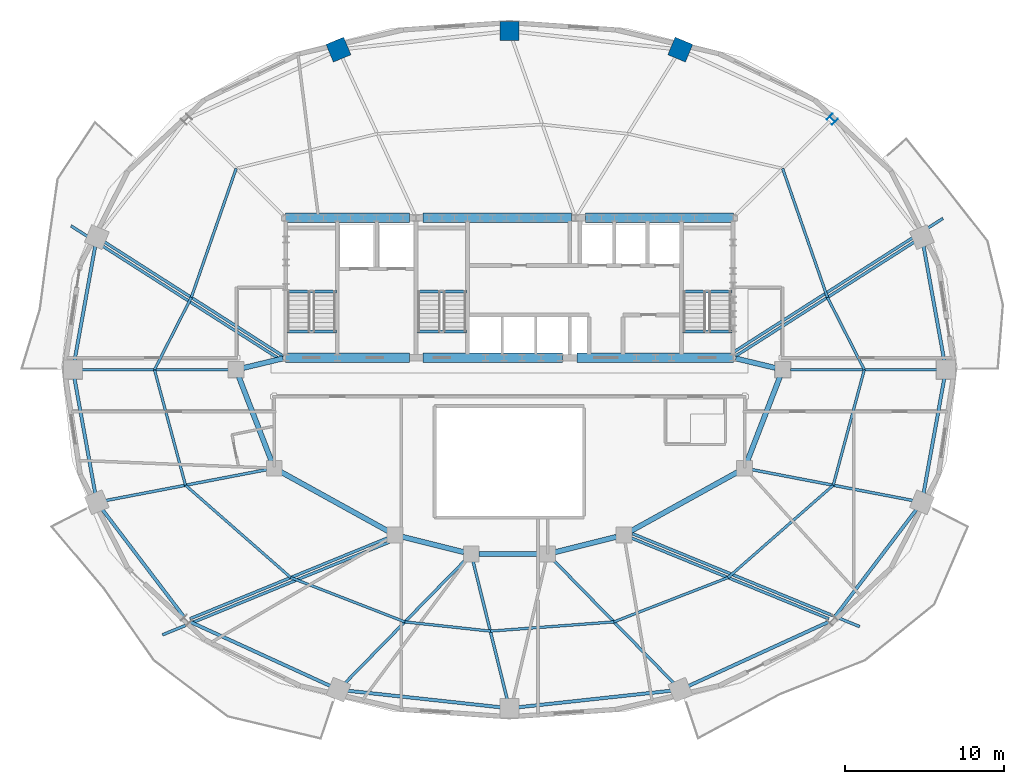
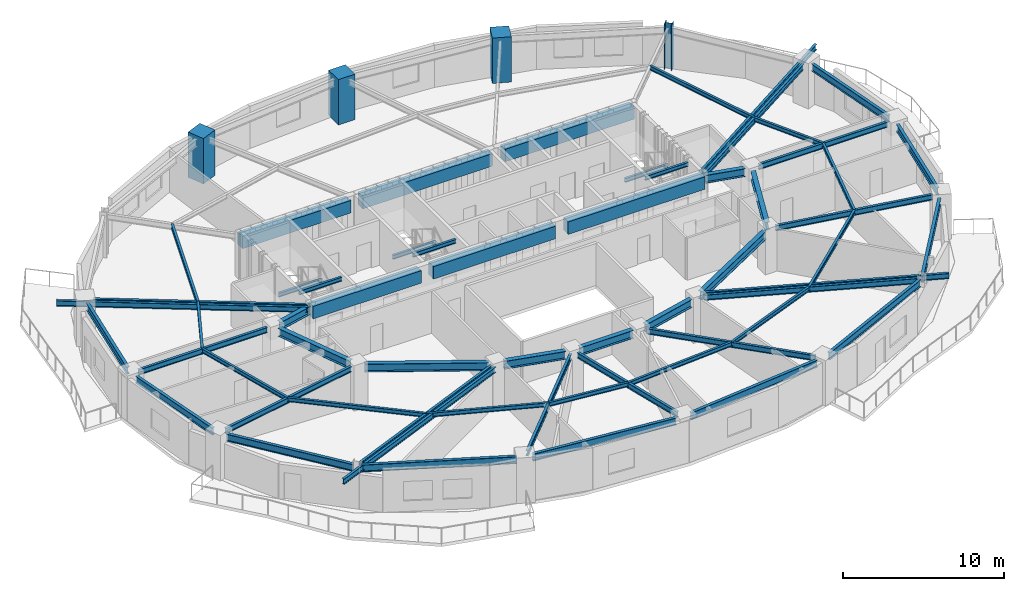
# One storey, part 2 of 11: 58 beams, 4 columns.
"""IFC4 building model written with IfcOpenShell, lengths in metres."""

from ifc_helpers import new_model, si_unit, direction, frame, origin, origin_2d, place, context, subcontext, project, spatial, rectangle, i_section, extrude, material, material_profile, profile_set, type_object, element, save


model = new_model("IFC4")

# Units and contexts
model_context = context("Model", 3, precision=1e-05, world=origin(), true_north=direction((0.0, 1.0)))
body_context = subcontext(model_context, "Body", "Model", "MODEL_VIEW")
ifc_project = project(units=[si_unit("LENGTHUNIT", "METRE"), si_unit("AREAUNIT", "SQUARE_METRE"), si_unit("VOLUMEUNIT", "CUBIC_METRE"), si_unit("PLANEANGLEUNIT", "RADIAN"), si_unit("MASSUNIT", "GRAM", prefix="KILO")], contexts=[model_context])

# Site, building, storey
site_placement = place(None, origin())
site = spatial("IfcSite", under=ifc_project, at=site_placement, CompositionType="ELEMENT")
building_placement = place(site_placement, origin())
building = spatial("IfcBuilding", under=site, at=building_placement, Name="Haldorwick Loom Tower", CompositionType="ELEMENT")
storey_placement = place(building_placement, frame((0.0, 0.0, 204.85009765625)))
storey = spatial("IfcBuildingStorey", under=building, at=storey_placement, Name="L55", CompositionType="ELEMENT", Elevation=204.85009765625)

# Columns
ifc_material_1 = material(Name="Concrete C60 (60 MPa)", Category="concrete")
ifc_material_profile_1 = material_profile(ifc_material_1, rectangle(XDim=1.199951171875, YDim=1.199951171875, at=origin_2d()), Name="RC1200X1200", Category="concrete")
ifc_profile_set_1 = profile_set([ifc_material_profile_1], Name="Concrete C60 (60 MPa)")
column_type_1 = type_object("IfcColumnType", Name="STR-COL-RC1200", PredefinedType="COLUMN", material=ifc_profile_set_1)
for number, where, z_axis, x_axis, name in (
    (1, (46.75341796875, 46.140625, 0.0), (0.0, 0.0, 1.0), (0.382683432365, 0.923879532511, 0.0), "L55 Perimeter Pier Column P04"),
    (2, (36.0, 47.304931640625, 0.0), (0.0, 0.0, 1.0), (0.0, 1.0, 0.0), "L55 Perimeter Pier Column P05"),
    (3, (25.24658203125, 46.140625, 0.0), (0.0, 0.0, 1.0), (-0.382683432365, 0.923879532511, 0.0), "L55 Perimeter Pier Column P06"),
):
    element("IfcColumn", number, at=place(storey_placement, frame(where, z_axis=z_axis, x_axis=x_axis)), inside=storey, type_object=column_type_1, Name=name, PredefinedType="COLUMN", context=body_context, shape_type="SweptSolid", body=[
        extrude(rectangle(XDim=1.199951171875, YDim=1.199951171875, at=origin_2d()), origin(), (0.0, 0.0, 1.0), 3.449951171875),
    ])
ifc_material_2 = material(Name="Steel CSA G40.21 350WT", Category="steel")
ifc_material_profile_2 = material_profile(ifc_material_2, i_section(OverallWidth=0.5, OverallDepth=0.5, WebThickness=0.02197265625, FlangeThickness=0.031982421875, at=origin_2d()), Name="WWF500X500", Category="steel")
ifc_profile_set_2 = profile_set([ifc_material_profile_2], Name="Steel CSA G40.21 350WT")
column_type_2 = type_object("IfcColumnType", Name="STR-COL-WWF500", PredefinedType="COLUMN", material=ifc_profile_set_2)
column_placement = place(storey_placement, frame((56.317626953125, 41.764892578125, 0.0), z_axis=(0.0, 0.0, 1.0), x_axis=(0.707106781187, 0.707106781187, 0.0)))
element("IfcColumn", 4, at=column_placement, inside=storey, type_object=column_type_2, Name="L55 Perimeter Pier Column P03", PredefinedType="COLUMN", context=body_context, shape_type="SweptSolid", body=[
    extrude(i_section(OverallWidth=0.5, OverallDepth=0.5, WebThickness=0.02197265625, FlangeThickness=0.031982421875, at=origin_2d()), origin(), (0.0, 0.0, 1.0), 3.449951171875),
])

# Beams
ifc_material_3 = material(Name="Steel CSA G40.21 350W", Category="steel")
ifc_material_profile_3 = material_profile(ifc_material_3, i_section(OverallWidth=0.179931640625, OverallDepth=0.4130859375, WebThickness=0.009765625, FlangeThickness=0.01611328125, at=origin_2d()), Name="W410X74", Category="steel")
ifc_profile_set_3 = profile_set([ifc_material_profile_3], Name="Steel CSA G40.21 350W")
beam_type_1 = type_object("IfcBeamType", Name="STR-BM-BAL410", PredefinedType="BEAM", material=ifc_profile_set_3)
beam_1_placement = place(storey_placement, frame((43.74560546875, 15.679443359375, 3.00341796875), z_axis=(0.925580184245, -0.378551611451, 0.0), x_axis=(0.378551611451, 0.925580184245, 0.0)))
element("IfcBeam", 5, at=beam_1_placement, inside=storey, type_object=beam_type_1, Name="L55 Continuous Back-Spanned Balcony Beam 1", PredefinedType="BEAM", context=body_context, shape_type="SweptSolid", body=[
    extrude(i_section(OverallWidth=0.179931640625, OverallDepth=0.4130859375, WebThickness=0.009765625, FlangeThickness=0.01611328125, at=origin_2d()), origin(), (0.0, 0.0, 1.0), 15.447509765625),
])
beam_2_placement = place(storey_placement, frame((28.46630859375, 15.160888671875, 3.00341796875), z_axis=(-0.925585721791, -0.378538071556, 0.0), x_axis=(0.378538071556, -0.925585721791, 0.0)))
element("IfcBeam", 6, at=beam_2_placement, inside=storey, type_object=beam_type_1, Name="L55 Continuous Back-Spanned Balcony Beam 2", PredefinedType="BEAM", context=body_context, shape_type="SweptSolid", body=[
    extrude(i_section(OverallWidth=0.179931640625, OverallDepth=0.4130859375, WebThickness=0.009765625, FlangeThickness=0.01611328125, at=origin_2d()), origin(), (0.0, 0.0, 1.0), 15.447265625),
])
for number, where, z_axis, x_axis, name in (
    (7, (21.62939453125, 26.60986328125, 3.00341796875), (-0.842844376394, 0.538157372133, 0.0), (-0.538157372133, -0.842844376394, 0.0), "L55 Continuous Back-Spanned Balcony Beam 3"),
    (8, (50.0693359375, 27.081787109375, 3.00341796875), (0.842844376394, 0.538157372133, 0.0), (-0.538157372133, 0.842844376394, 0.0), "L55 Continuous Back-Spanned Balcony Beam 4"),
):
    element("IfcBeam", number, at=place(storey_placement, frame(where, z_axis=z_axis, x_axis=x_axis)), inside=storey, type_object=beam_type_1, Name=name, PredefinedType="BEAM", context=body_context, shape_type="SweptSolid", body=[
        extrude(i_section(OverallWidth=0.179931640625, OverallDepth=0.4130859375, WebThickness=0.009765625, FlangeThickness=0.01611328125, at=origin_2d()), origin(), (0.0, 0.0, 1.0), 15.680419921875),
    ])
ifc_material_4 = material(Name="Concrete C50 (50 MPa)", Category="concrete")
ifc_material_profile_4 = material_profile(ifc_material_4, rectangle(XDim=0.60009765625, YDim=0.949951171875, at=origin_2d()), Name="RC600X950", Category="concrete")
ifc_profile_set_4 = profile_set([ifc_material_profile_4], Name="Concrete C50 (50 MPa)")
beam_type_2 = type_object("IfcBeamType", Name="STR-BM-CB950", PredefinedType="LINTEL", material=ifc_profile_set_4)
beam_3_placement = place(storey_placement, frame((21.89990234375, 35.550048828125, 2.73486328125), z_axis=(1.0, 0.0, 0.0), x_axis=(0.0, 1.0, 0.0)))
element("IfcBeam", 9, at=beam_3_placement, inside=storey, type_object=beam_type_2, Name="L55 Core Coupling Beam CB-N1", PredefinedType="LINTEL", context=body_context, shape_type="SweptSolid", body=[
    extrude(rectangle(XDim=0.60009765625, YDim=0.949951171875, at=origin_2d()), origin(), (0.0, 0.0, 1.0), 7.800048828125),
])
beam_4_placement = place(storey_placement, frame((30.550048828125, 35.550048828125, 2.73486328125), z_axis=(1.0, 0.0, 0.0), x_axis=(0.0, 1.0, 0.0)))
element("IfcBeam", 10, at=beam_4_placement, inside=storey, type_object=beam_type_2, Name="L55 Core Coupling Beam CB-N2", PredefinedType="LINTEL", context=body_context, shape_type="SweptSolid", body=[
    extrude(rectangle(XDim=0.60009765625, YDim=0.949951171875, at=origin_2d()), origin(), (0.0, 0.0, 1.0), 9.349853515625),
])
beam_5_placement = place(storey_placement, frame((40.800048828125, 35.550048828125, 2.73486328125), z_axis=(1.0, 0.0, 0.0), x_axis=(0.0, 1.0, 0.0)))
element("IfcBeam", 11, at=beam_5_placement, inside=storey, type_object=beam_type_2, Name="L55 Core Coupling Beam CB-N3", PredefinedType="LINTEL", context=body_context, shape_type="SweptSolid", body=[
    extrude(rectangle(XDim=0.60009765625, YDim=0.949951171875, at=origin_2d()), origin(), (0.0, 0.0, 1.0), 9.300048828125),
])
beam_6_placement = place(storey_placement, frame((21.89990234375, 26.75, 2.73486328125), z_axis=(1.0, 0.0, 0.0), x_axis=(0.0, 1.0, 0.0)))
element("IfcBeam", 12, at=beam_6_placement, inside=storey, type_object=beam_type_2, Name="L55 Core Coupling Beam CB-S1", PredefinedType="LINTEL", context=body_context, shape_type="SweptSolid", body=[
    extrude(rectangle(XDim=0.60009765625, YDim=0.949951171875, at=origin_2d()), origin(), (0.0, 0.0, 1.0), 7.800048828125),
])
beam_7_placement = place(storey_placement, frame((30.550048828125, 26.75, 2.73486328125), z_axis=(1.0, 0.0, 0.0), x_axis=(0.0, 1.0, 0.0)))
element("IfcBeam", 13, at=beam_7_placement, inside=storey, type_object=beam_type_2, Name="L55 Core Coupling Beam CB-S2", PredefinedType="LINTEL", context=body_context, shape_type="SweptSolid", body=[
    extrude(rectangle(XDim=0.60009765625, YDim=0.949951171875, at=origin_2d()), origin(), (0.0, 0.0, 1.0), 8.800048828125),
])
beam_8_placement = place(storey_placement, frame((40.25, 26.75, 2.73486328125), z_axis=(1.0, 0.0, 0.0), x_axis=(0.0, 1.0, 0.0)))
element("IfcBeam", 14, at=beam_8_placement, inside=storey, type_object=beam_type_2, Name="L55 Core Coupling Beam CB-S3", PredefinedType="LINTEL", context=body_context, shape_type="SweptSolid", body=[
    extrude(rectangle(XDim=0.60009765625, YDim=0.949951171875, at=origin_2d()), origin(), (0.0, 0.0, 1.0), 9.85009765625),
])
ifc_material_profile_5 = material_profile(ifc_material_3, i_section(OverallWidth=0.166015625, OverallDepth=0.31298828125, WebThickness=0.006591796875, FlangeThickness=0.01123046875, at=origin_2d()), Name="W310X45", Category="steel")
ifc_profile_set_5 = profile_set([ifc_material_profile_5], Name="Steel CSA G40.21 350W")
beam_type_3 = type_object("IfcBeamType", Name="STR-BM-J310", PredefinedType="JOIST", material=ifc_profile_set_5)
beam_9_placement = place(storey_placement, frame((58.333251953125, 26.0, 3.053466796875), z_axis=(-0.454203827517, 0.890897796085, 0.0), x_axis=(-0.890897796085, -0.454203827517, 0.0)))
element("IfcBeam", 15, at=beam_9_placement, inside=storey, type_object=beam_type_3, Name="L55 Mid-Bay Secondary Joist 1", PredefinedType="JOIST", context=body_context, shape_type="SweptSolid", body=[
    extrude(i_section(OverallWidth=0.166015625, OverallDepth=0.31298828125, WebThickness=0.006591796875, FlangeThickness=0.01123046875, at=origin_2d()), origin(), (0.0, 0.0, 1.0), 5.103271484375),
])
for number, where, z_axis, x_axis, name in (
    (16, (56.015380859375, 30.54638671875, 3.053466796875), (-0.328550395803, 0.944486441098, 0.0), (-0.944486441098, -0.328550395803, 0.0), "L55 Mid-Bay Secondary Joist 2"),
    (17, (18.80615234375, 38.657470703125, 3.053466796875), (-0.328550395803, -0.944486441098, 0.0), (0.944486441098, -0.328550395803, 0.0), "L55 Mid-Bay Secondary Joist 7"),
):
    element("IfcBeam", number, at=place(storey_placement, frame(where, z_axis=z_axis, x_axis=x_axis)), inside=storey, type_object=beam_type_3, Name=name, PredefinedType="JOIST", context=body_context, shape_type="SweptSolid", body=[
        extrude(i_section(OverallWidth=0.166015625, OverallDepth=0.31298828125, WebThickness=0.006591796875, FlangeThickness=0.01123046875, at=origin_2d()), origin(), (0.0, 0.0, 1.0), 8.587890625),
    ])
beam_10_placement = place(storey_placement, frame((15.984619140625, 30.54638671875, 3.053466796875), z_axis=(-0.454203827517, -0.890897796085, 0.0), x_axis=(0.890897796085, -0.454203827517, 0.0)))
element("IfcBeam", 18, at=beam_10_placement, inside=storey, type_object=beam_type_3, Name="L55 Mid-Bay Secondary Joist 8", PredefinedType="JOIST", context=body_context, shape_type="SweptSolid", body=[
    extrude(i_section(OverallWidth=0.166015625, OverallDepth=0.31298828125, WebThickness=0.006591796875, FlangeThickness=0.01123046875, at=origin_2d()), origin(), (0.0, 0.0, 1.0), 5.103271484375),
])
beam_11_placement = place(storey_placement, frame((13.666748046875, 26.0, 3.053466796875), z_axis=(0.259353588718, -0.965782437208, 0.0), x_axis=(0.965782437208, 0.259353588718, 0.0)))
element("IfcBeam", 19, at=beam_11_placement, inside=storey, type_object=beam_type_3, Name="L55 Mid-Bay Secondary Joist 9", PredefinedType="JOIST", context=body_context, shape_type="SweptSolid", body=[
    extrude(i_section(OverallWidth=0.166015625, OverallDepth=0.31298828125, WebThickness=0.006591796875, FlangeThickness=0.01123046875, at=origin_2d()), origin(), (0.0, 0.0, 1.0), 7.52880859375),
])
beam_12_placement = place(storey_placement, frame((15.619384765625, 18.728759765625, 3.053466796875), z_axis=(0.751609427289, -0.659608420815, 0.0), x_axis=(0.659608420815, 0.751609427289, 0.0)))
element("IfcBeam", 20, at=beam_12_placement, inside=storey, type_object=beam_type_3, Name="L55 Mid-Bay Secondary Joist 10", PredefinedType="JOIST", context=body_context, shape_type="SweptSolid", body=[
    extrude(i_section(OverallWidth=0.166015625, OverallDepth=0.31298828125, WebThickness=0.006591796875, FlangeThickness=0.01123046875, at=origin_2d()), origin(), (0.0, 0.0, 1.0), 8.810302734375),
])
beam_13_placement = place(storey_placement, frame((22.2412109375, 12.91748046875, 3.053466796875), z_axis=(0.932232852675, -0.36185896202, 0.0), x_axis=(0.36185896202, 0.932232852675, 0.0)))
element("IfcBeam", 21, at=beam_13_placement, inside=storey, type_object=beam_type_3, Name="L55 Mid-Bay Secondary Joist 11", PredefinedType="JOIST", context=body_context, shape_type="SweptSolid", body=[
    extrude(i_section(OverallWidth=0.166015625, OverallDepth=0.31298828125, WebThickness=0.006591796875, FlangeThickness=0.01123046875, at=origin_2d()), origin(), (0.0, 0.0, 1.0), 7.7041015625),
])
beam_14_placement = place(storey_placement, frame((29.42333984375, 10.129638671875, 3.053466796875), z_axis=(0.994191913888, -0.107621737398, 0.0), x_axis=(0.107621737398, 0.994191913888, 0.0)))
element("IfcBeam", 22, at=beam_14_placement, inside=storey, type_object=beam_type_3, Name="L55 Mid-Bay Secondary Joist 12", PredefinedType="JOIST", context=body_context, shape_type="SweptSolid", body=[
    extrude(i_section(OverallWidth=0.166015625, OverallDepth=0.31298828125, WebThickness=0.006591796875, FlangeThickness=0.01123046875, at=origin_2d()), origin(), (0.0, 0.0, 1.0), 5.408203125),
])
beam_15_placement = place(storey_placement, frame((34.800048828125, 9.547607421875, 3.053466796875), z_axis=(0.997210913817, 0.074635067923, 0.0), x_axis=(-0.074635067923, 0.997210913817, 0.0)))
element("IfcBeam", 23, at=beam_15_placement, inside=storey, type_object=beam_type_3, Name="L55 Mid-Bay Secondary Joist 13", PredefinedType="JOIST", context=body_context, shape_type="SweptSolid", body=[
    extrude(i_section(OverallWidth=0.166015625, OverallDepth=0.31298828125, WebThickness=0.006591796875, FlangeThickness=0.01123046875, at=origin_2d()), origin(), (0.0, 0.0, 1.0), 7.79833984375),
])
beam_16_placement = place(storey_placement, frame((42.57666015625, 10.129638671875, 3.053466796875), z_axis=(0.932232852675, 0.36185896202, 0.0), x_axis=(-0.36185896202, 0.932232852675, 0.0)))
element("IfcBeam", 24, at=beam_16_placement, inside=storey, type_object=beam_type_3, Name="L55 Mid-Bay Secondary Joist 14", PredefinedType="JOIST", context=body_context, shape_type="SweptSolid", body=[
    extrude(i_section(OverallWidth=0.166015625, OverallDepth=0.31298828125, WebThickness=0.006591796875, FlangeThickness=0.01123046875, at=origin_2d()), origin(), (0.0, 0.0, 1.0), 7.7041015625),
])
beam_17_placement = place(storey_placement, frame((49.7587890625, 12.91748046875, 3.053466796875), z_axis=(0.751609427289, 0.659608420815, 0.0), x_axis=(-0.659608420815, 0.751609427289, 0.0)))
element("IfcBeam", 25, at=beam_17_placement, inside=storey, type_object=beam_type_3, Name="L55 Mid-Bay Secondary Joist 15", PredefinedType="JOIST", context=body_context, shape_type="SweptSolid", body=[
    extrude(i_section(OverallWidth=0.166015625, OverallDepth=0.31298828125, WebThickness=0.006591796875, FlangeThickness=0.01123046875, at=origin_2d()), origin(), (0.0, 0.0, 1.0), 8.810302734375),
])
beam_18_placement = place(storey_placement, frame((56.380615234375, 18.728759765625, 3.053466796875), z_axis=(0.259353588718, 0.965782437208, 0.0), x_axis=(-0.965782437208, 0.259353588718, 0.0)))
element("IfcBeam", 26, at=beam_18_placement, inside=storey, type_object=beam_type_3, Name="L55 Mid-Bay Secondary Joist 16", PredefinedType="JOIST", context=body_context, shape_type="SweptSolid", body=[
    extrude(i_section(OverallWidth=0.166015625, OverallDepth=0.31298828125, WebThickness=0.006591796875, FlangeThickness=0.01123046875, at=origin_2d()), origin(), (0.0, 0.0, 1.0), 7.52880859375),
])
ifc_material_profile_6 = material_profile(ifc_material_3, i_section(OverallWidth=0.179931640625, OverallDepth=0.4130859375, WebThickness=0.009765625, FlangeThickness=0.01611328125, at=origin_2d()), Name="W410X74", Category="steel")
ifc_profile_set_6 = profile_set([ifc_material_profile_6], Name="Steel CSA G40.21 350W")
beam_type_4 = type_object("IfcBeamType", Name="STR-BM-J410", PredefinedType="JOIST", material=ifc_profile_set_6)
beam_19_placement = place(storey_placement, frame((53.675048828125, 26.0, 3.00341796875), z_axis=(1.0, 0.0, 0.0), x_axis=(0.0, 1.0, 0.0)))
element("IfcBeam", 27, at=beam_19_placement, inside=storey, type_object=beam_type_4, Name="L55 Radial Floor Girder 1", PredefinedType="JOIST", context=body_context, shape_type="SweptSolid", body=[
    extrude(i_section(OverallWidth=0.179931640625, OverallDepth=0.4130859375, WebThickness=0.009765625, FlangeThickness=0.01611328125, at=origin_2d()), origin(), (0.0, 0.0, 1.0), 9.271240234375),
])
for number, where, z_axis, x_axis, name in (
    (28, (50.219970703125, 26.845703125, 3.00341796875), (0.842836647066, 0.538169477361, 0.0), (-0.538169477361, 0.842836647066, 0.0), "L55 Radial Floor Girder 2"),
    (29, (21.780029296875, 26.845703125, 3.00341796875), (-0.842836647066, 0.538169477361, 0.0), (-0.538169477361, -0.842836647066, 0.0), "L55 Radial Floor Girder 8"),
):
    element("IfcBeam", number, at=place(storey_placement, frame(where, z_axis=z_axis, x_axis=x_axis)), inside=storey, type_object=beam_type_4, Name=name, PredefinedType="JOIST", context=body_context, shape_type="SweptSolid", body=[
        extrude(i_section(OverallWidth=0.179931640625, OverallDepth=0.4130859375, WebThickness=0.009765625, FlangeThickness=0.01611328125, at=origin_2d()), origin(), (0.0, 0.0, 1.0), 13.410400390625),
    ])
beam_20_placement = place(storey_placement, frame((18.324951171875, 26.0, 3.00341796875), z_axis=(-1.0, 0.0, 0.0), x_axis=(0.0, -1.0, 0.0)))
element("IfcBeam", 30, at=beam_20_placement, inside=storey, type_object=beam_type_4, Name="L55 Radial Floor Girder 9", PredefinedType="JOIST", context=body_context, shape_type="SweptSolid", body=[
    extrude(i_section(OverallWidth=0.179931640625, OverallDepth=0.4130859375, WebThickness=0.009765625, FlangeThickness=0.01611328125, at=origin_2d()), origin(), (0.0, 0.0, 1.0), 9.271240234375),
])
beam_21_placement = place(storey_placement, frame((20.7333984375, 19.71044921875, 3.00341796875), z_axis=(-0.982069869785, -0.188517295919, 0.0), x_axis=(0.188517295919, -0.982069869785, 0.0)))
element("IfcBeam", 31, at=beam_21_placement, inside=storey, type_object=beam_type_4, Name="L55 Radial Floor Girder 10", PredefinedType="JOIST", context=body_context, shape_type="SweptSolid", body=[
    extrude(i_section(OverallWidth=0.179931640625, OverallDepth=0.4130859375, WebThickness=0.009765625, FlangeThickness=0.01611328125, at=origin_2d()), origin(), (0.0, 0.0, 1.0), 10.36962890625),
])
beam_22_placement = place(storey_placement, frame((28.3603515625, 15.420166015625, 3.00341796875), z_axis=(-0.925583323606, -0.378543935445, 0.0), x_axis=(0.378543935445, -0.925583323606, 0.0)))
element("IfcBeam", 32, at=beam_22_placement, inside=storey, type_object=beam_type_4, Name="L55 Radial Floor Girder 11", PredefinedType="JOIST", context=body_context, shape_type="SweptSolid", body=[
    extrude(i_section(OverallWidth=0.179931640625, OverallDepth=0.4130859375, WebThickness=0.009765625, FlangeThickness=0.01611328125, at=origin_2d()), origin(), (0.0, 0.0, 1.0), 13.47216796875),
])
beam_23_placement = place(storey_placement, frame((33.267822265625, 14.060302734375, 3.00341796875), z_axis=(-0.699238682239, -0.714888288658, 0.0), x_axis=(0.714888288658, -0.699238682239, 0.0)))
element("IfcBeam", 33, at=beam_23_placement, inside=storey, type_object=beam_type_4, Name="L55 Radial Floor Girder 12", PredefinedType="JOIST", context=body_context, shape_type="SweptSolid", body=[
    extrude(i_section(OverallWidth=0.179931640625, OverallDepth=0.4130859375, WebThickness=0.009765625, FlangeThickness=0.01611328125, at=origin_2d()), origin(), (0.0, 0.0, 1.0), 10.951416015625),
])
beam_24_placement = place(storey_placement, frame((33.714111328125, 13.93896484375, 3.00341796875), z_axis=(0.240059013303, -0.970758296453, 0.0), x_axis=(0.970758296453, 0.240059013303, 0.0)))
element("IfcBeam", 34, at=beam_24_placement, inside=storey, type_object=beam_type_4, Name="L55 Radial Floor Girder 13", PredefinedType="JOIST", context=body_context, shape_type="SweptSolid", body=[
    extrude(i_section(OverallWidth=0.179931640625, OverallDepth=0.4130859375, WebThickness=0.009765625, FlangeThickness=0.01611328125, at=origin_2d()), origin(), (0.0, 0.0, 1.0), 9.00244140625),
])
beam_25_placement = place(storey_placement, frame((38.732177734375, 14.060302734375, 3.00341796875), z_axis=(0.699238682239, -0.714888288658, 0.0), x_axis=(0.714888288658, 0.699238682239, 0.0)))
element("IfcBeam", 35, at=beam_25_placement, inside=storey, type_object=beam_type_4, Name="L55 Radial Floor Girder 14", PredefinedType="JOIST", context=body_context, shape_type="SweptSolid", body=[
    extrude(i_section(OverallWidth=0.179931640625, OverallDepth=0.4130859375, WebThickness=0.009765625, FlangeThickness=0.01611328125, at=origin_2d()), origin(), (0.0, 0.0, 1.0), 10.951416015625),
])
beam_26_placement = place(storey_placement, frame((43.6396484375, 15.420166015625, 3.00341796875), z_axis=(0.925583323606, -0.378543935445, 0.0), x_axis=(0.378543935445, 0.925583323606, 0.0)))
element("IfcBeam", 36, at=beam_26_placement, inside=storey, type_object=beam_type_4, Name="L55 Radial Floor Girder 15", PredefinedType="JOIST", context=body_context, shape_type="SweptSolid", body=[
    extrude(i_section(OverallWidth=0.179931640625, OverallDepth=0.4130859375, WebThickness=0.009765625, FlangeThickness=0.01611328125, at=origin_2d()), origin(), (0.0, 0.0, 1.0), 13.47216796875),
])
beam_27_placement = place(storey_placement, frame((51.2666015625, 19.71044921875, 3.00341796875), z_axis=(0.982069869785, -0.188517295919, 0.0), x_axis=(0.188517295919, 0.982069869785, 0.0)))
element("IfcBeam", 37, at=beam_27_placement, inside=storey, type_object=beam_type_4, Name="L55 Radial Floor Girder 16", PredefinedType="JOIST", context=body_context, shape_type="SweptSolid", body=[
    extrude(i_section(OverallWidth=0.179931640625, OverallDepth=0.4130859375, WebThickness=0.009765625, FlangeThickness=0.01611328125, at=origin_2d()), origin(), (0.0, 0.0, 1.0), 10.36962890625),
])
ifc_material_profile_7 = material_profile(ifc_material_3, i_section(OverallWidth=0.2119140625, OverallDepth=0.5439453125, WebThickness=0.01318359375, FlangeThickness=0.021240234375, at=origin_2d()), Name="W530X123", Category="steel")
ifc_profile_set_7 = profile_set([ifc_material_profile_7], Name="Steel CSA G40.21 350W")
beam_type_5 = type_object("IfcBeamType", Name="STR-BM-SP530", PredefinedType="SPANDREL", material=ifc_profile_set_7)
for number, where, z_axis, x_axis, name in (
    (38, (63.3740234375, 26.51171875, 2.93798828125), (-0.1775911332, 0.984104359003, 0.0), (-0.984104359003, -0.1775911332, 0.0), "L55 Perimeter Spandrel 1"),
    (39, (9.94677734375, 33.830810546875, 2.93798828125), (-0.1775911332, -0.984104359003, 0.0), (0.984104359003, -0.1775911332, 0.0), "L55 Perimeter Spandrel 8"),
    (40, (8.6259765625, 25.48828125, 2.93798828125), (0.1775911332, -0.984104359003, 0.0), (0.984104359003, 0.1775911332, 0.0), "L55 Perimeter Spandrel 9"),
):
    element("IfcBeam", number, at=place(storey_placement, frame(where, z_axis=z_axis, x_axis=x_axis)), inside=storey, type_object=beam_type_5, Name=name, PredefinedType="SPANDREL", context=body_context, shape_type="SweptSolid", body=[
        extrude(i_section(OverallWidth=0.2119140625, OverallDepth=0.5439453125, WebThickness=0.01318359375, FlangeThickness=0.021240234375, at=origin_2d()), origin(), (0.0, 0.0, 1.0), 7.437255859375),
    ])
beam_28_placement = place(storey_placement, frame((10.353759765625, 17.24365234375, 2.93798828125), z_axis=(0.605236944797, -0.796045376001, 0.0), x_axis=(0.796045376001, 0.605236944797, 0.0)))
element("IfcBeam", 41, at=beam_28_placement, inside=storey, type_object=beam_type_5, Name="L55 Perimeter Spandrel 10", PredefinedType="SPANDREL", context=body_context, shape_type="SweptSolid", body=[
    extrude(i_section(OverallWidth=0.2119140625, OverallDepth=0.5439453125, WebThickness=0.01318359375, FlangeThickness=0.021240234375, at=origin_2d()), origin(), (0.0, 0.0, 1.0), 8.5791015625),
])
beam_29_placement = place(storey_placement, frame((15.886962890625, 10.1416015625, 2.93798828125), z_axis=(0.909342182232, -0.416049030299, 0.0), x_axis=(0.416049030299, 0.909342182232, 0.0)))
element("IfcBeam", 42, at=beam_29_placement, inside=storey, type_object=beam_type_5, Name="L55 Perimeter Spandrel 11", PredefinedType="SPANDREL", context=body_context, shape_type="SweptSolid", body=[
    extrude(i_section(OverallWidth=0.2119140625, OverallDepth=0.5439453125, WebThickness=0.01318359375, FlangeThickness=0.021240234375, at=origin_2d()), origin(), (0.0, 0.0, 1.0), 9.772705078125),
])
for number, where, z_axis, x_axis, name in (
    (43, (25.763671875, 5.803466796875, 2.93798828125), (0.994187774205, -0.107659972233, 0.0), (0.107659972233, 0.994187774205, 0.0), "L55 Perimeter Spandrel 12"),
    (44, (36.51708984375, 4.7509765625, 2.93798828125), (0.994187774205, 0.107659972233, 0.0), (-0.107659972233, 0.994187774205, 0.0), "L55 Perimeter Spandrel 13"),
):
    element("IfcBeam", number, at=place(storey_placement, frame(where, z_axis=z_axis, x_axis=x_axis)), inside=storey, type_object=beam_type_5, Name=name, PredefinedType="SPANDREL", context=body_context, shape_type="SweptSolid", body=[
        extrude(i_section(OverallWidth=0.2119140625, OverallDepth=0.5439453125, WebThickness=0.01318359375, FlangeThickness=0.021240234375, at=origin_2d()), origin(), (0.0, 0.0, 1.0), 9.776123046875),
    ])
beam_30_placement = place(storey_placement, frame((47.226318359375, 6.07568359375, 2.93798828125), z_axis=(0.909342182232, 0.416049030299, 0.0), x_axis=(-0.416049030299, 0.909342182232, 0.0)))
element("IfcBeam", 45, at=beam_30_placement, inside=storey, type_object=beam_type_5, Name="L55 Perimeter Spandrel 14", PredefinedType="SPANDREL", context=body_context, shape_type="SweptSolid", body=[
    extrude(i_section(OverallWidth=0.2119140625, OverallDepth=0.5439453125, WebThickness=0.01318359375, FlangeThickness=0.021240234375, at=origin_2d()), origin(), (0.0, 0.0, 1.0), 9.772705078125),
])
beam_31_placement = place(storey_placement, frame((56.453857421875, 10.414306640625, 2.93798828125), z_axis=(0.605236944797, 0.796045376001, 0.0), x_axis=(-0.796045376001, 0.605236944797, 0.0)))
element("IfcBeam", 46, at=beam_31_placement, inside=storey, type_object=beam_type_5, Name="L55 Perimeter Spandrel 15", PredefinedType="SPANDREL", context=body_context, shape_type="SweptSolid", body=[
    extrude(i_section(OverallWidth=0.2119140625, OverallDepth=0.5439453125, WebThickness=0.01318359375, FlangeThickness=0.021240234375, at=origin_2d()), origin(), (0.0, 0.0, 1.0), 8.5791015625),
])
beam_32_placement = place(storey_placement, frame((62.05322265625, 18.169189453125, 2.93798828125), z_axis=(0.1775911332, 0.984104359003, 0.0), x_axis=(-0.984104359003, 0.1775911332, 0.0)))
element("IfcBeam", 47, at=beam_32_placement, inside=storey, type_object=beam_type_5, Name="L55 Perimeter Spandrel 16", PredefinedType="SPANDREL", context=body_context, shape_type="SweptSolid", body=[
    extrude(i_section(OverallWidth=0.2119140625, OverallDepth=0.5439453125, WebThickness=0.01318359375, FlangeThickness=0.021240234375, at=origin_2d()), origin(), (0.0, 0.0, 1.0), 7.437255859375),
])
ifc_material_profile_8 = material_profile(ifc_material_3, i_section(OverallWidth=0.166015625, OverallDepth=0.31298828125, WebThickness=0.006591796875, FlangeThickness=0.01123046875, at=origin_2d()), Name="W310X45", Category="steel")
ifc_profile_set_8 = profile_set([ifc_material_profile_8], Name="Steel CSA G40.21 350W")
beam_type_6 = type_object("IfcBeamType", Name="STR-BM-STRM", PredefinedType="BEAM", material=ifc_profile_set_8)
for number, where, z_axis, x_axis, name in (
    (48, (21.989990234375, 28.39990234375, 3.053466796875), (1.0, 0.0, 0.0), (0.0, 1.0, 0.0), "L55 Stair ST-01 Landing Edge Trimmer"),
    (49, (21.989990234375, 30.919921875, 1.368408203125), (1.0, 0.0, 0.0), (0.0, 1.0, 0.0), "L55 Stair ST-01 Half-Landing Trimmer 1"),
    (50, (46.889892578125, 28.39990234375, 3.053466796875), (1.0, 0.0, 0.0), (0.0, 1.0, 0.0), "L55 Stair ST-02 Landing Edge Trimmer"),
    (51, (46.889892578125, 30.919921875, 1.368408203125), (1.0, 0.0, 0.0), (0.0, 1.0, 0.0), "L55 Stair ST-02 Half-Landing Trimmer 1"),
    (52, (30.18994140625, 28.39990234375, 3.053466796875), (1.0, 0.0, 0.0), (0.0, 1.0, 0.0), "L55 Stair ST-03 Landing Edge Trimmer"),
    (53, (30.18994140625, 30.919921875, 1.368408203125), (1.0, 0.0, 0.0), (0.0, 1.0, 0.0), "L55 Stair ST-03 Half-Landing Trimmer 1"),
):
    element("IfcBeam", number, at=place(storey_placement, frame(where, z_axis=z_axis, x_axis=x_axis)), inside=storey, type_object=beam_type_6, Name=name, PredefinedType="BEAM", context=body_context, shape_type="SweptSolid", body=[
        extrude(i_section(OverallWidth=0.166015625, OverallDepth=0.31298828125, WebThickness=0.006591796875, FlangeThickness=0.01123046875, at=origin_2d()), origin(), (0.0, 0.0, 1.0), 3.1201171875),
    ])
ifc_material_profile_9 = material_profile(ifc_material_3, i_section(OverallWidth=0.324951171875, OverallDepth=0.615966796875, WebThickness=0.013916015625, FlangeThickness=0.021484375, at=origin_2d()), Name="W610X174", Category="steel")
ifc_profile_set_9 = profile_set([ifc_material_profile_9], Name="Steel CSA G40.21 350W")
beam_type_7 = type_object("IfcBeamType", Name="STR-BM-W610A", PredefinedType="BEAM", material=ifc_profile_set_9)
beam_33_placement = place(storey_placement, frame((50.2431640625, 26.70849609375, 2.90185546875), z_axis=(0.972464127734, -0.233052612665, 0.0), x_axis=(0.233052612665, 0.972464127734, 0.0)))
element("IfcBeam", 54, at=beam_33_placement, inside=storey, type_object=beam_type_7, Name="L55 Inner Ring Girder 1", PredefinedType="BEAM", context=body_context, shape_type="SweptSolid", body=[
    extrude(i_section(OverallWidth=0.324951171875, OverallDepth=0.615966796875, WebThickness=0.013916015625, FlangeThickness=0.021484375, at=origin_2d()), origin(), (0.0, 0.0, 1.0), 2.5654296875),
])
beam_34_placement = place(storey_placement, frame((53.028564453125, 25.556884765625, 2.90185546875), z_axis=(-0.36101093026, -0.93256158415, 0.0), x_axis=(0.93256158415, -0.36101093026, 0.0)))
element("IfcBeam", 55, at=beam_34_placement, inside=storey, type_object=beam_type_7, Name="L55 Inner Ring Girder 2", PredefinedType="BEAM", context=body_context, shape_type="SweptSolid", body=[
    extrude(i_section(OverallWidth=0.324951171875, OverallDepth=0.615966796875, WebThickness=0.013916015625, FlangeThickness=0.021484375, at=origin_2d()), origin(), (0.0, 0.0, 1.0), 5.6982421875),
])
beam_35_placement = place(storey_placement, frame((50.38427734375, 19.5703125, 2.90185546875), z_axis=(-0.875243645673, -0.483682293152, 0.0), x_axis=(0.483682293152, -0.875243645673, 0.0)))
element("IfcBeam", 56, at=beam_35_placement, inside=storey, type_object=beam_type_7, Name="L55 Inner Ring Girder 3", PredefinedType="BEAM", context=body_context, shape_type="SweptSolid", body=[
    extrude(i_section(OverallWidth=0.324951171875, OverallDepth=0.615966796875, WebThickness=0.013916015625, FlangeThickness=0.021484375, at=origin_2d()), origin(), (0.0, 0.0, 1.0), 7.7333984375),
])
beam_36_placement = place(storey_placement, frame((42.7392578125, 15.48486328125, 2.90185546875), z_axis=(-0.970135315182, -0.242564363081, 0.0), x_axis=(0.242564363081, -0.970135315182, 0.0)))
element("IfcBeam", 57, at=beam_36_placement, inside=storey, type_object=beam_type_7, Name="L55 Inner Ring Girder 4", PredefinedType="BEAM", context=body_context, shape_type="SweptSolid", body=[
    extrude(i_section(OverallWidth=0.324951171875, OverallDepth=0.615966796875, WebThickness=0.013916015625, FlangeThickness=0.021484375, at=origin_2d()), origin(), (0.0, 0.0, 1.0), 3.997802734375),
])
beam_37_placement = place(storey_placement, frame((37.925048828125, 14.39990234375, 2.90185546875), z_axis=(-1.0, 0.0, 0.0), x_axis=(0.0, -1.0, 0.0)))
element("IfcBeam", 58, at=beam_37_placement, inside=storey, type_object=beam_type_7, Name="L55 Inner Ring Girder 5", PredefinedType="BEAM", context=body_context, shape_type="SweptSolid", body=[
    extrude(i_section(OverallWidth=0.324951171875, OverallDepth=0.615966796875, WebThickness=0.013916015625, FlangeThickness=0.021484375, at=origin_2d()), origin(), (0.0, 0.0, 1.0), 3.85009765625),
])
beam_38_placement = place(storey_placement, frame((33.13916015625, 14.51513671875, 2.90185546875), z_axis=(-0.970135315182, 0.242564363081, 0.0), x_axis=(-0.242564363081, -0.970135315182, 0.0)))
element("IfcBeam", 59, at=beam_38_placement, inside=storey, type_object=beam_type_7, Name="L55 Inner Ring Girder 6", PredefinedType="BEAM", context=body_context, shape_type="SweptSolid", body=[
    extrude(i_section(OverallWidth=0.324951171875, OverallDepth=0.615966796875, WebThickness=0.013916015625, FlangeThickness=0.021484375, at=origin_2d()), origin(), (0.0, 0.0, 1.0), 3.997802734375),
])
beam_39_placement = place(storey_placement, frame((28.38427734375, 15.829833984375, 2.90185546875), z_axis=(-0.875243645673, 0.483682293152, 0.0), x_axis=(-0.483682293152, -0.875243645673, 0.0)))
element("IfcBeam", 60, at=beam_39_placement, inside=storey, type_object=beam_type_7, Name="L55 Inner Ring Girder 7", PredefinedType="BEAM", context=body_context, shape_type="SweptSolid", body=[
    extrude(i_section(OverallWidth=0.324951171875, OverallDepth=0.615966796875, WebThickness=0.013916015625, FlangeThickness=0.021484375, at=origin_2d()), origin(), (0.0, 0.0, 1.0), 7.7333984375),
])
beam_40_placement = place(storey_placement, frame((21.028564453125, 20.242919921875, 2.90185546875), z_axis=(-0.36101093026, 0.93256158415, 0.0), x_axis=(-0.93256158415, -0.36101093026, 0.0)))
element("IfcBeam", 61, at=beam_40_placement, inside=storey, type_object=beam_type_7, Name="L55 Inner Ring Girder 8", PredefinedType="BEAM", context=body_context, shape_type="SweptSolid", body=[
    extrude(i_section(OverallWidth=0.324951171875, OverallDepth=0.615966796875, WebThickness=0.013916015625, FlangeThickness=0.021484375, at=origin_2d()), origin(), (0.0, 0.0, 1.0), 5.6982421875),
])
beam_41_placement = place(storey_placement, frame((19.261962890625, 26.110595703125, 2.90185546875), z_axis=(0.972464127734, 0.233052612665, 0.0), x_axis=(-0.233052612665, 0.972464127734, 0.0)))
element("IfcBeam", 62, at=beam_41_placement, inside=storey, type_object=beam_type_7, Name="L55 Inner Ring Girder 9", PredefinedType="BEAM", context=body_context, shape_type="SweptSolid", body=[
    extrude(i_section(OverallWidth=0.324951171875, OverallDepth=0.615966796875, WebThickness=0.013916015625, FlangeThickness=0.021484375, at=origin_2d()), origin(), (0.0, 0.0, 1.0), 2.5654296875),
])

save(model, "model.ifc")
